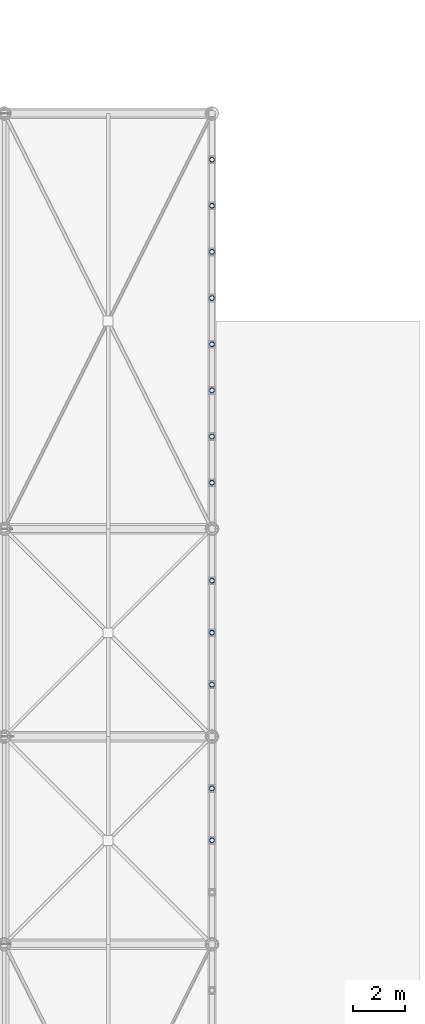
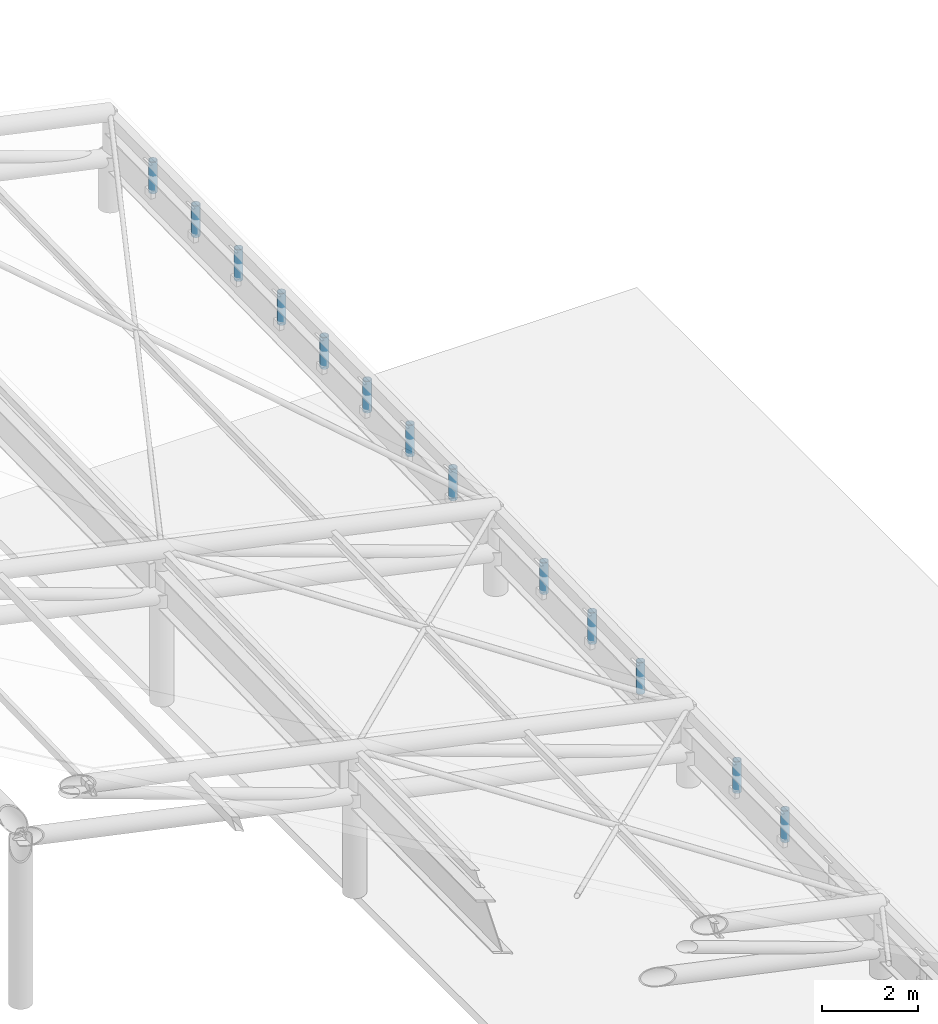
# One storey, part 23 of 41: 13 members.
"""IFC4 building model written with IfcOpenShell, lengths in metres."""

from ifc_helpers import new_model, si_unit, direction, frame, origin, origin_2d, place, context, subcontext, project, spatial, hollow_circle, extrude, material, material_profile, profile_set, type_object, element, save


model = new_model("IFC4")

# Units and contexts
model_context = context("Model", 3, precision=1e-05, world=origin(), true_north=direction((0.0, 1.0)))
body_context = subcontext(model_context, "Body", "Model", "MODEL_VIEW")
ifc_project = project(units=[si_unit("LENGTHUNIT", "METRE"), si_unit("AREAUNIT", "SQUARE_METRE"), si_unit("VOLUMEUNIT", "CUBIC_METRE"), si_unit("PLANEANGLEUNIT", "RADIAN"), si_unit("MASSUNIT", "GRAM", prefix="KILO")], contexts=[model_context])

# Site, building, storey
site_placement = place(None, origin())
site = spatial("IfcSite", under=ifc_project, at=site_placement, CompositionType="ELEMENT")
building_placement = place(site_placement, origin())
building = spatial("IfcBuilding", under=site, at=building_placement, Name="Haebicheon Civic Stadium", CompositionType="ELEMENT")
storey_placement = place(building_placement, frame((0.0, 0.0, 27.0)))
storey = spatial("IfcBuildingStorey", under=building, at=storey_placement, Name="L07", CompositionType="ELEMENT", Elevation=27.0)

# Members
ifc_material = material(Name="White painted steel SM490", Category="steel")
ifc_material_profile = material_profile(ifc_material, hollow_circle(Radius=0.095458984375, WallThickness=0.011962890625, at=origin_2d()), Name="CHS-190.7x12.0")
ifc_profile_set = profile_set([ifc_material_profile], Name="White painted steel SM490")
member_type = type_object("IfcMemberType", Name="HRD-CHS190", PredefinedType="USERDEFINED", material=ifc_profile_set)
for number, where, z_axis, x_axis, name in (
    (1, (152.0, 108.0, 0.929931640625), (0.0, 0.0, 1.0), (1.0, 0.0, 0.0), "CAN-EAST white vertical suspension rod 6.2"),
    (2, (152.0, 110.0, 0.9609375), (0.0, 0.0, 1.0), (1.0, 0.0, 0.0), "CAN-EAST white vertical suspension rod 6.3"),
    (3, (152.0, 114.0, 1.0439453125), (0.0, 0.0, 1.0), (1.0, 0.0, 0.0), "CAN-EAST white vertical suspension rod 7.1"),
    (4, (152.0, 116.0, 1.094970703125), (0.0, 0.0, 1.0), (1.0, 0.0, 0.0), "CAN-EAST white vertical suspension rod 7.2"),
    (5, (152.0, 118.0, 1.14599609375), (0.0, 0.0, 1.0), (1.0, 0.0, 0.0), "CAN-EAST white vertical suspension rod 7.3"),
    (6, (152.0, 121.778076171875, 1.22998046875), (0.0, 0.0, 1.0), (1.0, 0.0, 0.0), "CAN-EAST white vertical suspension rod 8.1"),
    (7, (152.0, 123.555908203125, 1.261962890625), (0.0, 0.0, 1.0), (1.0, 0.0, 0.0), "CAN-EAST white vertical suspension rod 8.2"),
    (8, (152.0, 125.3330078125, 1.2939453125), (0.0, 0.0, 1.0), (1.0, 0.0, 0.0), "CAN-EAST white vertical suspension rod 8.3"),
    (9, (152.0, 127.111083984375, 1.325927734375), (0.0, 0.0, 1.0), (1.0, 0.0, 0.0), "CAN-EAST white vertical suspension rod 8.4"),
    (10, (152.0, 128.888916015625, 1.35888671875), (0.0, 0.0, 1.0), (1.0, 0.0, 0.0), "CAN-EAST white vertical suspension rod 8.5"),
):
    element("IfcMember", number, at=place(storey_placement, frame(where, z_axis=z_axis, x_axis=x_axis)), inside=storey, type_object=member_type, material=ifc_profile_set, Name=name, ObjectType="HANGER ROD", PredefinedType="USERDEFINED", context=body_context, shape_type="SweptSolid", body=[
        extrude(hollow_circle(Radius=0.095458984375, WallThickness=0.011962890625, at=origin_2d()), origin(), (0.0, 0.0, 1.0), 0.800048828125),
    ])
for number, where, z_axis, x_axis, name in (
    (11, (152.0, 130.6669921875, 1.39111328125), (0.0, 0.0, 1.0), (1.0, 0.0, 0.0), "CAN-EAST white vertical suspension rod 8.6"),
    (12, (152.0, 132.444091796875, 1.423095703125), (0.0, 0.0, 1.0), (1.0, 0.0, 0.0), "CAN-EAST white vertical suspension rod 8.7"),
    (13, (152.0, 134.221923828125, 1.455078125), (0.0, 0.0, 1.0), (1.0, 0.0, 0.0), "CAN-EAST white vertical suspension rod 8.8"),
):
    element("IfcMember", number, at=place(storey_placement, frame(where, z_axis=z_axis, x_axis=x_axis)), inside=storey, type_object=member_type, material=ifc_profile_set, Name=name, ObjectType="HANGER ROD", PredefinedType="USERDEFINED", context=body_context, shape_type="SweptSolid", body=[
        extrude(hollow_circle(Radius=0.095458984375, WallThickness=0.011962890625, at=origin_2d()), origin(), (0.0, 0.0, 1.0), 0.7998046875),
    ])

save(model, "model.ifc")
